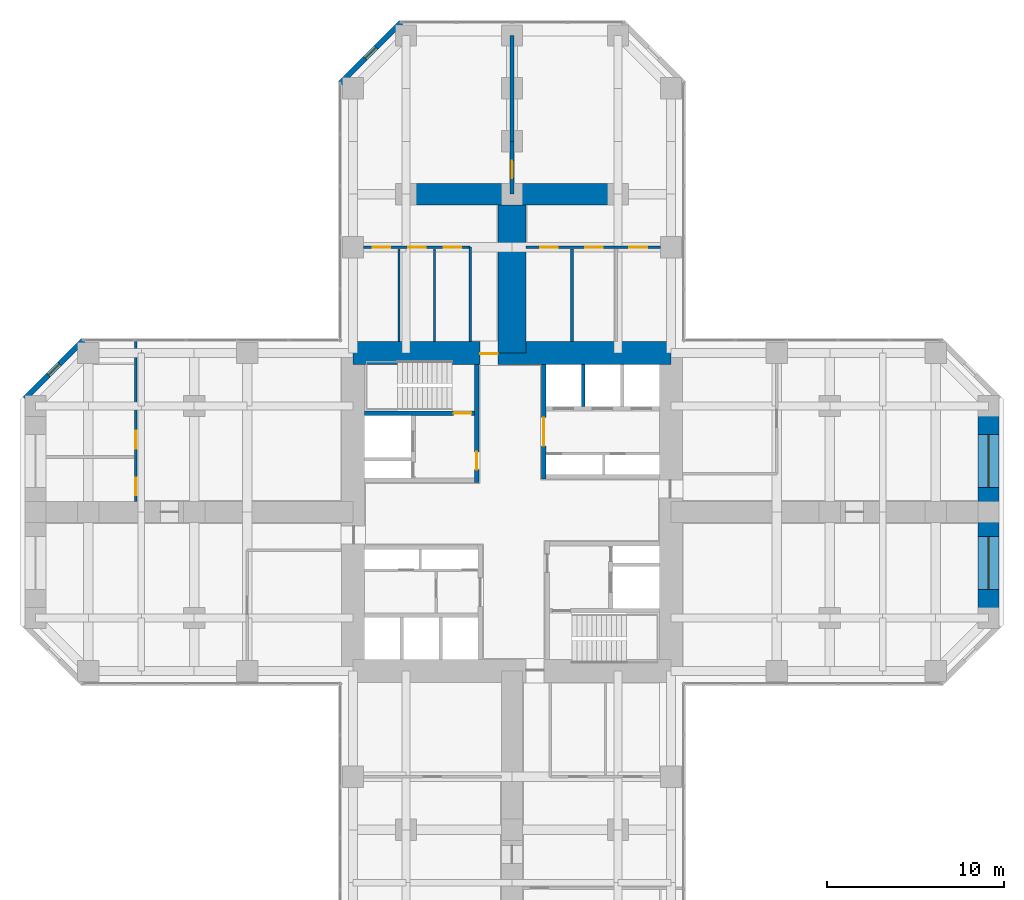
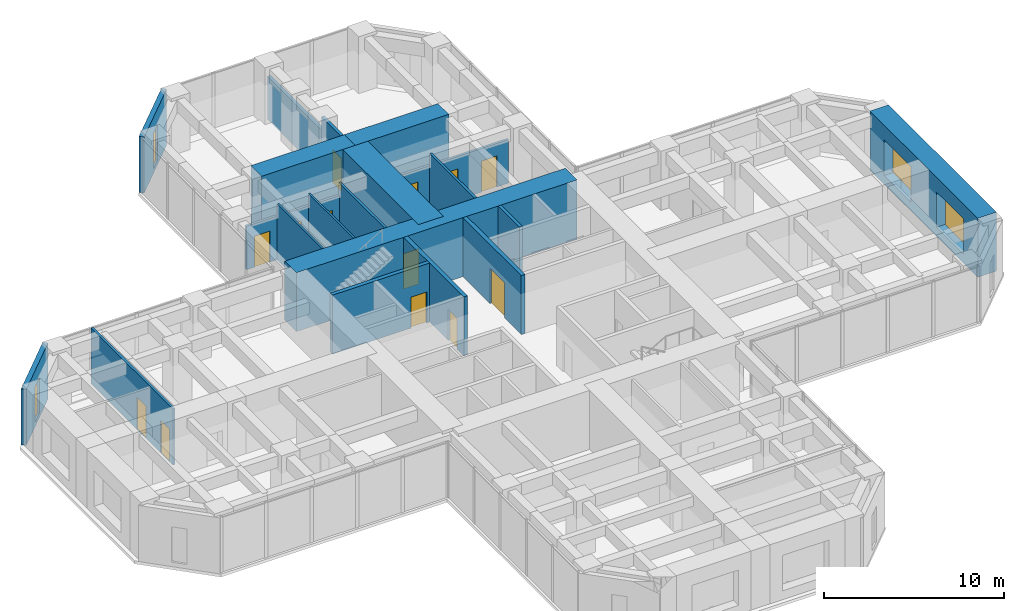
# One storey, part 10 of 12: 20 walls, 13 doors, 4 windows, 17 openings.
"""IFC4 building model written with IfcOpenShell, lengths in metres."""

from ifc_helpers import new_model, si_unit, direction, frame, frame_2d, origin, place, context, subcontext, project, spatial, rectangle, hollow_rectangle, extrude, material, layer, layer_set, constituent, constituent_set, type_object, element, fill, save


model = new_model("IFC4")

# Units and contexts
model_context = context("Model", 3, precision=1e-05, world=origin(), true_north=direction((0.0, 1.0)))
body_context = subcontext(model_context, "Body", "Model", "MODEL_VIEW")
ifc_project = project(units=[si_unit("LENGTHUNIT", "METRE"), si_unit("AREAUNIT", "SQUARE_METRE"), si_unit("VOLUMEUNIT", "CUBIC_METRE"), si_unit("PLANEANGLEUNIT", "RADIAN"), si_unit("MASSUNIT", "GRAM", prefix="KILO")], contexts=[model_context])

# Site, building, storey
site_placement = place(None, origin())
site = spatial("IfcSite", under=ifc_project, at=site_placement, CompositionType="ELEMENT")
building_placement = place(site_placement, origin())
building = spatial("IfcBuilding", under=site, at=building_placement, Name="Torre Cruceta", CompositionType="ELEMENT")
storey_placement = place(building_placement, frame((0.0, 0.0, 75.5)))
storey = spatial("IfcBuildingStorey", under=building, at=storey_placement, Name="L18", CompositionType="ELEMENT", Elevation=75.5)

# Wall, opening, door
ifc_material_1 = material(Name="Concrete G60 (fck 60 MPa)", Category="concrete")
ifc_layer_1 = layer(ifc_material_1, 0.25)
ifc_layer_set_1 = layer_set([ifc_layer_1], Name="Concrete G60 (fck 60 MPa)")
wall_type_1 = type_object("IfcWallType", Name="CORE INNER WALL 250 G60", PredefinedType="SHEAR", material=ifc_layer_set_1)
wall_1_placement = place(storey_placement, frame((1.800048828125, 1.875, 0.0), z_axis=(0.0, 0.0, 1.0), x_axis=(0.0, 1.0, 0.0)))
wall_1 = element("IfcWall", 1, at=wall_1_placement, inside=storey, type_object=wall_type_1, Name="CW4 L18 NE-CU", PredefinedType="SHEAR", context=body_context, shape_type="SweptSolid", body=[
    extrude(rectangle(XDim=6.47509765625, YDim=0.25, at=frame_2d((3.237548828125, 0.0))), origin(), (0.0, 0.0, 1.0), 4.0),
])
opening_1_placement = place(wall_1_placement, frame((1.875, 0.0, 0.0)))
opening_1 = element("IfcOpeningElement", 2, at=opening_1_placement, cuts=wall_1, Name="Opening D8", PredefinedType="OPENING", context=body_context, shape_type="SweptSolid", body=[
    extrude(rectangle(XDim=1.60009765625, YDim=2.39990234375, at=frame_2d((0.800048828125, 1.199951171875))), frame((0.0, 0.135009765625, 0.0), z_axis=(0.0, -1.0, 0.0), x_axis=(1.0, 0.0, 0.0)), (0.0, 0.0, 1.0), 0.27001953125),
])
ifc_material_2 = material(Name="Steel DX51D", Category="steel")
ifc_constituent_1 = constituent(ifc_material_2, Name="Leaf and frame")
ifc_material_3 = material(Name="Polyester powder coating", Category="paint")
ifc_constituent_2 = constituent(ifc_material_3, Name="Finish")
ifc_material_4 = material(Name="Fire-resisting glass", Category="glass")
ifc_constituent_3 = constituent(ifc_material_4, Name="Vision panel")
ifc_constituent_set_1 = constituent_set(constituents=[ifc_constituent_1, ifc_constituent_2, ifc_constituent_3], Name="Steel fire door with vision panels")
door_type_1 = type_object("IfcDoorType", Name="LIFT LOBBY DOUBLE DOOR 1600X2400", OperationType="DOUBLE_DOOR_DOUBLE_SWING", PredefinedType="DOOR", material=ifc_constituent_set_1)
door_1_placement = place(opening_1_placement, origin())
door_1 = element("IfcDoor", 3, at=door_1_placement, inside=storey, type_object=door_type_1, Name="D8 L18 NE-LOBBY", OperationType="DOUBLE_DOOR_DOUBLE_SWING", OverallHeight=2.39990234375, OverallWidth=1.60009765625, PredefinedType="DOOR", context=body_context, shape_type="SweptSolid", body=[
    extrude(rectangle(XDim=1.60009765625, YDim=2.39990234375, at=frame_2d((0.800048828125, 1.199951171875))), frame((0.0, 0.02490234375, 0.0), z_axis=(0.0, -1.0, 0.0), x_axis=(1.0, 0.0, 0.0)), (0.0, 0.0, 1.0), 0.050048828125),
])
fill(opening_1, door_1)

wall_2_placement = place(storey_placement, frame((-2.0, 1.675048828125, 0.0), z_axis=(0.0, 0.0, 1.0), x_axis=(0.0, 1.0, 0.0)))
wall_2 = element("IfcWall", 4, at=wall_2_placement, inside=storey, type_object=wall_type_1, Name="CW4 L18 NW-CU", PredefinedType="SHEAR", context=body_context, shape_type="SweptSolid", body=[
    extrude(rectangle(XDim=6.675048828125, YDim=0.25, at=frame_2d((3.33740234375, 0.0))), origin(), (0.0, 0.0, 1.0), 4.0),
])
opening_2_placement = place(wall_2_placement, frame((0.72509765625, 0.0, 0.0)))
opening_2 = element("IfcOpeningElement", 5, at=opening_2_placement, cuts=wall_2, Name="Opening D3", PredefinedType="OPENING", context=body_context, shape_type="SweptSolid", body=[
    extrude(rectangle(XDim=1.0, YDim=2.10009765625, at=frame_2d((0.5, 1.050048828125))), frame((0.0, 0.135009765625, 0.0), z_axis=(0.0, -1.0, 0.0), x_axis=(1.0, 0.0, 0.0)), (0.0, 0.0, 1.0), 0.27001953125),
])
ifc_material_5 = material(Name="Steel DX51D", Category="steel")
ifc_constituent_4 = constituent(ifc_material_5, Name="Leaf and frame")
ifc_material_6 = material(Name="Polyester powder coating", Category="paint")
ifc_constituent_5 = constituent(ifc_material_6, Name="Finish")
ifc_constituent_set_2 = constituent_set(constituents=[ifc_constituent_4, ifc_constituent_5], Name="Steel fire door")
door_type_2 = type_object("IfcDoorType", Name="FIRE DOOR 1000X2100", OperationType="SINGLE_SWING_LEFT", PredefinedType="DOOR", material=ifc_constituent_set_2)
door_2_placement = place(opening_2_placement, origin())
door_2 = element("IfcDoor", 6, at=door_2_placement, inside=storey, type_object=door_type_2, Name="D3 L18 NW-LOBBY", OperationType="SINGLE_SWING_LEFT", OverallHeight=2.10009765625, OverallWidth=1.0, PredefinedType="DOOR", context=body_context, shape_type="SweptSolid", body=[
    extrude(rectangle(XDim=1.0, YDim=2.10009765625, at=frame_2d((0.5, 1.050048828125))), frame((0.0, 0.02490234375, 0.0), z_axis=(0.0, -1.0, 0.0), x_axis=(1.0, 0.0, 0.0)), (0.0, 0.0, 1.0), 0.050048828125),
])
fill(opening_2, door_2)

wall_3_placement = place(storey_placement, frame((-2.125, 5.60009765625, 0.0), z_axis=(0.0, 0.0, 1.0), x_axis=(-1.0, 0.0, 0.0)))
wall_3 = element("IfcWall", 7, at=wall_3_placement, inside=storey, type_object=wall_type_1, Name="CW4 L18 NW-SV", PredefinedType="SHEAR", context=body_context, shape_type="SweptSolid", body=[
    extrude(rectangle(XDim=6.22509765625, YDim=0.25, at=frame_2d((3.112548828125, 0.0))), origin(), (0.0, 0.0, 1.0), 4.0),
])
opening_3_placement = place(wall_3_placement, frame((0.175048828125, 0.0, 0.0)))
opening_3 = element("IfcOpeningElement", 8, at=opening_3_placement, cuts=wall_3, Name="Opening D3", PredefinedType="OPENING", context=body_context, shape_type="SweptSolid", body=[
    extrude(rectangle(XDim=1.0, YDim=2.10009765625, at=frame_2d((0.5, 1.050048828125))), frame((0.0, 0.135009765625, 0.0), z_axis=(0.0, -1.0, 0.0), x_axis=(1.0, 0.0, 0.0)), (0.0, 0.0, 1.0), 0.27001953125),
])
door_3_placement = place(opening_3_placement, frame((1.0, 0.0, 0.0), z_axis=(0.0, 0.0, 1.0), x_axis=(-1.0, 0.0, 0.0)))
door_3 = element("IfcDoor", 9, at=door_3_placement, inside=storey, type_object=door_type_2, Name="D3 L18 NW-STAIR", OperationType="SINGLE_SWING_RIGHT", OverallHeight=2.10009765625, OverallWidth=1.0, PredefinedType="DOOR", context=body_context, shape_type="SweptSolid", body=[
    extrude(rectangle(XDim=1.0, YDim=2.10009765625, at=frame_2d((0.5, 1.050048828125))), frame((0.0, 0.025146484375, 0.0), z_axis=(0.0, -1.0, 0.0), x_axis=(1.0, 0.0, 0.0)), (0.0, 0.0, 1.0), 0.050048828125),
])
fill(opening_3, door_3)

ifc_material_7 = material(Name="Concrete G60 (fck 60 MPa)", Category="concrete")
ifc_layer_2 = layer(ifc_material_7, 1.300048828125)
ifc_layer_set_2 = layer_set([ifc_layer_2], Name="Concrete G60 (fck 60 MPa)")
wall_type_2 = type_object("IfcWallType", Name="CORE WALL 1300 G60", PredefinedType="SHEAR", material=ifc_layer_set_2)
wall_4_placement = place(storey_placement, frame((9.0, 9.0, 0.0), z_axis=(0.0, 0.0, 1.0), x_axis=(-1.0, 0.0, 0.0)))
wall_4 = element("IfcWall", 10, at=wall_4_placement, inside=storey, type_object=wall_type_2, Name="CW1 L18 CW-N", PredefinedType="SHEAR", context=body_context, shape_type="SweptSolid", body=[
    extrude(rectangle(XDim=18.0, YDim=1.300048828125, at=frame_2d((9.0, 0.0))), origin(), (0.0, 0.0, 1.0), 4.0),
])
opening_4_placement = place(wall_4_placement, frame((9.800048828125, 0.0, 0.0)))
opening_4 = element("IfcOpeningElement", 11, at=opening_4_placement, cuts=wall_4, Name="Opening D4", PredefinedType="OPENING", context=body_context, shape_type="SweptSolid", body=[
    extrude(rectangle(XDim=1.0, YDim=2.39990234375, at=frame_2d((0.5, 1.199951171875))), frame((0.0, 0.659912109375, 0.0), z_axis=(0.0, -1.0, 0.0), x_axis=(1.0, 0.0, 0.0)), (0.0, 0.0, 1.0), 1.320068359375),
])
ifc_material_8 = material(Name="Steel DX51D", Category="steel")
ifc_constituent_6 = constituent(ifc_material_8, Name="Leaf and frame")
ifc_material_9 = material(Name="Polyester powder coating", Category="paint")
ifc_constituent_7 = constituent(ifc_material_9, Name="Finish")
ifc_constituent_set_3 = constituent_set(constituents=[ifc_constituent_6, ifc_constituent_7], Name="Steel fire door")
door_type_3 = type_object("IfcDoorType", Name="CORE ARM DOOR 1000X2400", OperationType="SINGLE_SWING_RIGHT", PredefinedType="DOOR", material=ifc_constituent_set_3)
door_4_placement = place(opening_4_placement, frame((1.0, 0.0, 0.0), z_axis=(0.0, 0.0, 1.0), x_axis=(-1.0, 0.0, 0.0)))
door_4 = element("IfcDoor", 12, at=door_4_placement, inside=storey, type_object=door_type_3, Name="D4 L18 CW-N", OperationType="SINGLE_SWING_RIGHT", OverallHeight=2.39990234375, OverallWidth=1.0, PredefinedType="DOOR", context=body_context, shape_type="SweptSolid", body=[
    extrude(rectangle(XDim=1.0, YDim=2.39990234375, at=frame_2d((0.5, 1.199951171875))), frame((0.0, -0.005126953125, 0.0), z_axis=(0.0, -1.0, 0.0), x_axis=(1.0, 0.0, 0.0)), (0.0, 0.0, 1.0), 0.050048828125),
])
fill(opening_4, door_4)

ifc_material_10 = material(Name="Concrete G25 (fck 25 MPa)", Category="concrete")
ifc_layer_3 = layer(ifc_material_10, 0.199951171875)
ifc_layer_set_3 = layer_set([ifc_layer_3], Name="Concrete G25 (fck 25 MPa)")
wall_type_3 = type_object("IfcWallType", Name="CORRIDOR WALL 200", PredefinedType="SOLIDWALL", material=ifc_layer_set_3)
wall_5_placement = place(storey_placement, frame((0.0, 18.0, 0.0), z_axis=(0.0, 0.0, 1.0), x_axis=(0.0, 1.0, 0.0)))
wall_5 = element("IfcWall", 13, at=wall_5_placement, inside=storey, type_object=wall_type_3, Name="PT3 spine line L18 N", PredefinedType="SOLIDWALL", context=body_context, shape_type="SweptSolid", body=[
    extrude(rectangle(XDim=3.0, YDim=0.199951171875, at=frame_2d((1.5, 0.0))), origin(), (0.0, 0.0, 1.0), 3.800048828125),
])
opening_5_placement = place(wall_5_placement, frame((0.89990234375, 0.0, 0.0)))
opening_5 = element("IfcOpeningElement", 14, at=opening_5_placement, cuts=wall_5, Name="Opening D14", PredefinedType="OPENING", context=body_context, shape_type="SweptSolid", body=[
    extrude(rectangle(XDim=1.0, YDim=2.199951171875, at=frame_2d((0.5, 1.10009765625))), frame((0.0, 0.10986328125, 0.0), z_axis=(0.0, -1.0, 0.0), x_axis=(1.0, 0.0, 0.0)), (0.0, 0.0, 1.0), 0.219970703125),
])
ifc_material_11 = material(Name="Steel DX51D", Category="steel")
ifc_constituent_8 = constituent(ifc_material_11, Name="Leaf and frame")
ifc_material_12 = material(Name="Polyester powder coating", Category="paint")
ifc_constituent_9 = constituent(ifc_material_12, Name="Finish")
ifc_material_13 = material(Name="Fire-resisting glass", Category="glass")
ifc_constituent_10 = constituent(ifc_material_13, Name="Vision panel")
ifc_constituent_set_4 = constituent_set(constituents=[ifc_constituent_8, ifc_constituent_9, ifc_constituent_10], Name="Steel fire door with vision panel")
door_type_4 = type_object("IfcDoorType", Name="FIRE DOOR VISION PANEL 1000X2200", OperationType="SINGLE_SWING_RIGHT", PredefinedType="DOOR", material=ifc_constituent_set_4)
door_5_placement = place(opening_5_placement, frame((1.0, 0.0, 0.0), z_axis=(0.0, 0.0, 1.0), x_axis=(-1.0, 0.0, 0.0)))
door_5 = element("IfcDoor", 15, at=door_5_placement, inside=storey, type_object=door_type_4, Name="D14 L18-N-SP1", OperationType="SINGLE_SWING_RIGHT", OverallHeight=2.199951171875, OverallWidth=1.0, PredefinedType="DOOR", context=body_context, shape_type="SweptSolid", body=[
    extrude(rectangle(XDim=1.0, YDim=2.199951171875, at=frame_2d((0.5, 1.10009765625))), frame((0.0, 0.025146484375, 0.0), z_axis=(0.0, -1.0, 0.0), x_axis=(1.0, 0.0, 0.0)), (0.0, 0.0, 1.0), 0.050048828125),
])
fill(opening_5, door_5)

# Walls
wall_6_placement = place(storey_placement, frame((0.0, 21.0, 0.0), z_axis=(0.0, 0.0, 1.0), x_axis=(0.0, 1.0, 0.0)))
element("IfcWall", 16, at=wall_6_placement, inside=storey, type_object=wall_type_3, Name="PT3 spine line L18 N 2", PredefinedType="SOLIDWALL", context=body_context, shape_type="SweptSolid", body=[
    extrude(rectangle(XDim=6.0, YDim=0.199951171875, at=frame_2d((3.0, 0.0))), origin(), (0.0, 0.0, 1.0), 2.89990234375),
])
ifc_material_14 = material(Name="Concrete G60 (fck 60 MPa)", Category="concrete")
ifc_layer_4 = layer(ifc_material_14, 1.199951171875)
ifc_layer_set_4 = layer_set([ifc_layer_4], Name="Concrete G60 (fck 60 MPa)")
wall_type_4 = type_object("IfcWallType", Name="CROSS WALL 1200 G60", PredefinedType="SHEAR", material=ifc_layer_set_4)
for number, where, z_axis, x_axis, name in (
    (17, (0.0, 18.0, 0.0), (0.0, 0.0, 1.0), (-1.0, 0.0, 0.0), "XW1 cross wall L18 N L"),
    (18, (0.0, 18.0, 0.0), (0.0, 0.0, 1.0), (1.0, 0.0, 0.0), "XW1 cross wall L18 N R"),
):
    element("IfcWall", number, at=place(storey_placement, frame(where, z_axis=z_axis, x_axis=x_axis)), inside=storey, type_object=wall_type_4, Name=name, PredefinedType="SHEAR", context=body_context, shape_type="SweptSolid", body=[
        extrude(rectangle(XDim=6.0, YDim=1.199951171875, at=frame_2d((3.0, 0.0))), origin(), (0.0, 0.0, 1.0), 4.0),
    ])

# Wall, opening, window
ifc_material_15 = material(Name="Concrete G30 (fck 30 MPa)", Category="concrete")
ifc_layer_5 = layer(ifc_material_15, 0.300048828125)
ifc_layer_set_5 = layer_set([ifc_layer_5], Name="Concrete G30 (fck 30 MPa)")
wall_type_5 = type_object("IfcWallType", Name="EXPOSED CONCRETE FACADE WALL 300", PredefinedType="SOLIDWALL", material=ifc_layer_set_5)
wall_7_placement = place(storey_placement, frame((-6.29833984375, 27.719970703125, 0.0), z_axis=(0.0, 0.0, 1.0), x_axis=(-0.707106781187, -0.707106781187, 0.0)))
wall_7 = element("IfcWall", 19, at=wall_7_placement, inside=storey, type_object=wall_type_5, Name="EW1 facade wall L18 N chamfer 08", PredefinedType="SOLIDWALL", context=body_context, shape_type="SweptSolid", body=[
    extrude(rectangle(XDim=4.8388671875, YDim=0.300048828125, at=frame_2d((2.41943359375, 0.0))), origin(), (0.0, 0.0, 1.0), 3.800048828125),
])
opening_6_placement = place(wall_7_placement, frame((1.969482421875, 0.0, 0.300048828125)))
opening_6 = element("IfcOpeningElement", 20, at=opening_6_placement, cuts=wall_7, Name="Opening WN5", PredefinedType="OPENING", context=body_context, shape_type="SweptSolid", body=[
    extrude(rectangle(XDim=0.89990234375, YDim=2.39990234375, at=frame_2d((0.449951171875, 1.199951171875))), frame((0.0, 0.159912109375, 0.0), z_axis=(0.0, -1.0, 0.0), x_axis=(1.0, 0.0, 0.0)), (0.0, 0.0, 1.0), 0.320068359375),
])
ifc_material_16 = material(Name="Aluminium window frame", Category="aluminium")
ifc_constituent_11 = constituent(ifc_material_16, Name="Frame")
ifc_material_17 = material(Name="Laminated insulating glass unit, low-iron clear", Category="glass")
ifc_constituent_12 = constituent(ifc_material_17, Name="Glazing")
ifc_constituent_set_5 = constituent_set(constituents=[ifc_constituent_11, ifc_constituent_12], Name="Aluminium window")
window_type_1 = type_object("IfcWindowType", Name="CHAMFER SLOT WINDOW 900X2400", PartitioningType="SINGLE_PANEL", PredefinedType="WINDOW", material=ifc_constituent_set_5)
window_1_placement = place(opening_6_placement, origin())
window_1 = element("IfcWindow", 21, at=window_1_placement, inside=storey, type_object=window_type_1, Name="WN5 L18 N 1", OverallHeight=2.39990234375, OverallWidth=0.89990234375, PartitioningType="SINGLE_PANEL", PredefinedType="WINDOW", context=body_context, shape_type="SweptSolid", body=[
    extrude(hollow_rectangle(XDim=0.89990234375, YDim=2.39990234375, WallThickness=0.06005859375, at=frame_2d((0.449951171875, 1.199951171875))), frame((0.0, 0.030029296875, 0.0), z_axis=(0.0, -1.0, 0.0), x_axis=(1.0, 0.0, 0.0)), (0.0, 0.0, 1.0), 0.06005859375),
    extrude(rectangle(XDim=0.77880859375, YDim=2.27880859375, at=frame_2d((0.449951171875, 1.199951171875))), frame((0.0, 0.030029296875, 0.0), z_axis=(0.0, -1.0, 0.0), x_axis=(1.0, 0.0, 0.0)), (0.0, 0.0, 1.0), 0.06005859375),
])
fill(opening_6, window_1)

wall_8_placement = place(storey_placement, frame((-24.29833984375, 9.719970703125, 0.0), z_axis=(0.0, 0.0, 1.0), x_axis=(-0.707106781187, -0.707106781187, 0.0)))
wall_8 = element("IfcWall", 22, at=wall_8_placement, inside=storey, type_object=wall_type_5, Name="EW1 facade wall L18 W chamfer 11", PredefinedType="SOLIDWALL", context=body_context, shape_type="SweptSolid", body=[
    extrude(rectangle(XDim=4.66943359375, YDim=0.300048828125, at=frame_2d((2.334716796875, 0.0))), origin(), (0.0, 0.0, 1.0), 3.800048828125),
])
opening_7_placement = place(wall_8_placement, frame((1.884765625, 0.0, 0.300048828125)))
opening_7 = element("IfcOpeningElement", 23, at=opening_7_placement, cuts=wall_8, Name="Opening WN5", PredefinedType="OPENING", context=body_context, shape_type="SweptSolid", body=[
    extrude(rectangle(XDim=0.89990234375, YDim=2.39990234375, at=frame_2d((0.449951171875, 1.199951171875))), frame((0.0, 0.159912109375, 0.0), z_axis=(0.0, -1.0, 0.0), x_axis=(1.0, 0.0, 0.0)), (0.0, 0.0, 1.0), 0.320068359375),
])
window_2_placement = place(opening_7_placement, origin())
window_2 = element("IfcWindow", 24, at=window_2_placement, inside=storey, type_object=window_type_1, Name="WN5 L18 W 1", OverallHeight=2.39990234375, OverallWidth=0.89990234375, PartitioningType="SINGLE_PANEL", PredefinedType="WINDOW", context=body_context, shape_type="SweptSolid", body=[
    extrude(hollow_rectangle(XDim=0.89990234375, YDim=2.39990234375, WallThickness=0.06005859375, at=frame_2d((0.449951171875, 1.199951171875))), frame((0.0, 0.030029296875, 0.0), z_axis=(0.0, -1.0, 0.0), x_axis=(1.0, 0.0, 0.0)), (0.0, 0.0, 1.0), 0.06005859375),
    extrude(rectangle(XDim=0.77880859375, YDim=2.27880859375, at=frame_2d((0.449951171875, 1.199951171875))), frame((0.0, 0.030029296875, 0.0), z_axis=(0.0, -1.0, 0.0), x_axis=(1.0, 0.0, 0.0)), (0.0, 0.0, 1.0), 0.06005859375),
])
fill(opening_7, window_2)

# Wall
ifc_material_18 = material(Name="Concrete G35 (fck 35 MPa)", Category="concrete")
ifc_layer_6 = layer(ifc_material_18, 0.199951171875)
ifc_layer_set_6 = layer_set([ifc_layer_6], Name="Concrete G35 (fck 35 MPa)")
wall_type_6 = type_object("IfcWallType", Name="LIFT SHAFT WALL 200", PredefinedType="PARTITIONING", material=ifc_layer_set_6)
wall_9_placement = place(storey_placement, frame((4.033447265625, 5.97509765625, 0.0), z_axis=(0.0, 0.0, 1.0), x_axis=(0.0, 1.0, 0.0)))
element("IfcWall", 25, at=wall_9_placement, inside=storey, type_object=wall_type_6, Name="SW1 L18 NE-LS1", PredefinedType="PARTITIONING", context=body_context, shape_type="SweptSolid", body=[
    extrude(rectangle(XDim=2.375, YDim=0.199951171875, at=frame_2d((1.1875, 0.0))), origin(), (0.0, 0.0, 1.0), 4.0),
])

# Wall, openings, windows
ifc_material_19 = material(Name="Concrete G60 (fck 60 MPa)", Category="concrete")
ifc_layer_7 = layer(ifc_material_19, 1.199951171875)
ifc_layer_set_7 = layer_set([ifc_layer_7], Name="Concrete G60 (fck 60 MPa)")
wall_type_7 = type_object("IfcWallType", Name="NOSE WALL 1200 G60", PredefinedType="SHEAR", material=ifc_layer_set_7)
wall_10_placement = place(storey_placement, frame((27.0, -6.0, 0.0), z_axis=(0.0, 0.0, 1.0), x_axis=(0.0, 1.0, 0.0)))
wall_10 = element("IfcWall", 26, at=wall_10_placement, inside=storey, type_object=wall_type_7, Name="NW1 nose wall L18 E", PredefinedType="SHEAR", context=body_context, shape_type="SweptSolid", body=[
    extrude(rectangle(XDim=12.0, YDim=1.199951171875, at=frame_2d((6.0, 0.0))), origin(), (0.0, 0.0, 1.0), 4.0),
])
opening_8_placement = place(wall_10_placement, frame((1.60009765625, 0.0, 0.60009765625)))
opening_8 = element("IfcOpeningElement", 27, at=opening_8_placement, cuts=wall_10, Name="Opening WN6", PredefinedType="OPENING", context=body_context, shape_type="SweptSolid", body=[
    extrude(rectangle(XDim=3.0, YDim=2.39990234375, at=frame_2d((1.5, 1.199951171875))), frame((0.0, 0.60986328125, 0.0), z_axis=(0.0, -1.0, 0.0), x_axis=(1.0, 0.0, 0.0)), (0.0, 0.0, 1.0), 1.219970703125),
])
opening_9_placement = place(wall_10_placement, frame((7.39990234375, 0.0, 0.60009765625)))
opening_9 = element("IfcOpeningElement", 28, at=opening_9_placement, cuts=wall_10, Name="Opening WN6", PredefinedType="OPENING", context=body_context, shape_type="SweptSolid", body=[
    extrude(rectangle(XDim=3.0, YDim=2.39990234375, at=frame_2d((1.5, 1.199951171875))), frame((0.0, 0.60986328125, 0.0), z_axis=(0.0, -1.0, 0.0), x_axis=(1.0, 0.0, 0.0)), (0.0, 0.0, 1.0), 1.219970703125),
])
ifc_material_20 = material(Name="Aluminium window frame", Category="aluminium")
ifc_constituent_13 = constituent(ifc_material_20, Name="Frame")
ifc_material_21 = material(Name="Laminated insulating glass unit, low-iron clear", Category="glass")
ifc_constituent_14 = constituent(ifc_material_21, Name="Glazing")
ifc_constituent_set_6 = constituent_set(constituents=[ifc_constituent_13, ifc_constituent_14], Name="Aluminium window")
window_type_2 = type_object("IfcWindowType", Name="NOSE WALL WINDOW 3000X2400", PartitioningType="SINGLE_PANEL", PredefinedType="WINDOW", material=ifc_constituent_set_6)
window_3_placement = place(opening_8_placement, origin())
window_3 = element("IfcWindow", 29, at=window_3_placement, inside=storey, type_object=window_type_2, Name="WN6 L18 E 1", OverallHeight=2.39990234375, OverallWidth=3.0, PartitioningType="SINGLE_PANEL", PredefinedType="WINDOW", context=body_context, shape_type="SweptSolid", body=[
    extrude(hollow_rectangle(XDim=3.0, YDim=2.39990234375, WallThickness=0.06005859375, at=frame_2d((1.5, 1.199951171875))), frame((0.0, 0.030029296875, 0.0), z_axis=(0.0, -1.0, 0.0), x_axis=(1.0, 0.0, 0.0)), (0.0, 0.0, 1.0), 0.06005859375),
    extrude(rectangle(XDim=2.87890625, YDim=2.27880859375, at=frame_2d((1.5, 1.199951171875))), frame((0.0, 0.030029296875, 0.0), z_axis=(0.0, -1.0, 0.0), x_axis=(1.0, 0.0, 0.0)), (0.0, 0.0, 1.0), 0.06005859375),
])
fill(opening_8, window_3)
window_4_placement = place(opening_9_placement, origin())
window_4 = element("IfcWindow", 30, at=window_4_placement, inside=storey, type_object=window_type_2, Name="WN6 L18 E 2", OverallHeight=2.39990234375, OverallWidth=3.0, PartitioningType="SINGLE_PANEL", PredefinedType="WINDOW", context=body_context, shape_type="SweptSolid", body=[
    extrude(hollow_rectangle(XDim=3.0, YDim=2.39990234375, WallThickness=0.06005859375, at=frame_2d((1.5, 1.199951171875))), frame((0.0, 0.030029296875, 0.0), z_axis=(0.0, -1.0, 0.0), x_axis=(1.0, 0.0, 0.0)), (0.0, 0.0, 1.0), 0.06005859375),
    extrude(rectangle(XDim=2.87890625, YDim=2.27880859375, at=frame_2d((1.5, 1.199951171875))), frame((0.0, 0.030029296875, 0.0), z_axis=(0.0, -1.0, 0.0), x_axis=(1.0, 0.0, 0.0)), (0.0, 0.0, 1.0), 0.06005859375),
])
fill(opening_9, window_4)

# Wall, openings, doors
ifc_material_22 = material(Name="Plasterboard on steel studs", Category="steel")
ifc_layer_8 = layer(ifc_material_22, 0.14990234375)
ifc_layer_set_8 = layer_set([ifc_layer_8], Name="Plasterboard on steel studs")
wall_type_8 = type_object("IfcWallType", Name="PARTITION 150", PredefinedType="PARTITIONING", material=ifc_layer_set_8)
wall_11_placement = place(storey_placement, frame((-2.375, 15.0, 0.0), z_axis=(0.0, 0.0, 1.0), x_axis=(-1.0, 0.0, 0.0)))
wall_11 = element("IfcWall", 31, at=wall_11_placement, inside=storey, type_object=wall_type_8, Name="PT1 L18-N-BFL", PredefinedType="PARTITIONING", context=body_context, shape_type="SweptSolid", body=[
    extrude(rectangle(XDim=6.02490234375, YDim=0.14990234375, at=frame_2d((3.012451171875, 0.0))), origin(), (0.0, 0.0, 1.0), 2.949951171875),
])
opening_10_placement = place(wall_11_placement, frame((0.504150390625, 0.0, 0.0)))
opening_10 = element("IfcOpeningElement", 32, at=opening_10_placement, cuts=wall_11, Name="Opening D3", PredefinedType="OPENING", context=body_context, shape_type="SweptSolid", body=[
    extrude(rectangle(XDim=1.0, YDim=2.10009765625, at=frame_2d((0.5, 1.050048828125))), frame((0.0, 0.0849609375, 0.0), z_axis=(0.0, -1.0, 0.0), x_axis=(1.0, 0.0, 0.0)), (0.0, 0.0, 1.0), 0.169921875),
])
opening_11_placement = place(wall_11_placement, frame((2.512451171875, 0.0, 0.0)))
opening_11 = element("IfcOpeningElement", 33, at=opening_11_placement, cuts=wall_11, Name="Opening D3", PredefinedType="OPENING", context=body_context, shape_type="SweptSolid", body=[
    extrude(rectangle(XDim=1.0, YDim=2.10009765625, at=frame_2d((0.5, 1.050048828125))), frame((0.0, 0.0849609375, 0.0), z_axis=(0.0, -1.0, 0.0), x_axis=(1.0, 0.0, 0.0)), (0.0, 0.0, 1.0), 0.169921875),
])
opening_12_placement = place(wall_11_placement, frame((4.520751953125, 0.0, 0.0)))
opening_12 = element("IfcOpeningElement", 34, at=opening_12_placement, cuts=wall_11, Name="Opening D3", PredefinedType="OPENING", context=body_context, shape_type="SweptSolid", body=[
    extrude(rectangle(XDim=1.0, YDim=2.10009765625, at=frame_2d((0.5, 1.050048828125))), frame((0.0, 0.0849609375, 0.0), z_axis=(0.0, -1.0, 0.0), x_axis=(1.0, 0.0, 0.0)), (0.0, 0.0, 1.0), 0.169921875),
])
door_6_placement = place(opening_10_placement, origin())
door_6 = element("IfcDoor", 35, at=door_6_placement, inside=storey, type_object=door_type_2, Name="D3 L18-N-BFL-D1", OperationType="SINGLE_SWING_LEFT", OverallHeight=2.10009765625, OverallWidth=1.0, PredefinedType="DOOR", context=body_context, shape_type="SweptSolid", body=[
    extrude(rectangle(XDim=1.0, YDim=2.10009765625, at=frame_2d((0.5, 1.050048828125))), frame((0.0, 0.02490234375, 0.0), z_axis=(0.0, -1.0, 0.0), x_axis=(1.0, 0.0, 0.0)), (0.0, 0.0, 1.0), 0.050048828125),
])
fill(opening_10, door_6)
door_7_placement = place(opening_11_placement, origin())
door_7 = element("IfcDoor", 36, at=door_7_placement, inside=storey, type_object=door_type_2, Name="D3 L18-N-BFL-D2", OperationType="SINGLE_SWING_LEFT", OverallHeight=2.10009765625, OverallWidth=1.0, PredefinedType="DOOR", context=body_context, shape_type="SweptSolid", body=[
    extrude(rectangle(XDim=1.0, YDim=2.10009765625, at=frame_2d((0.5, 1.050048828125))), frame((0.0, 0.02490234375, 0.0), z_axis=(0.0, -1.0, 0.0), x_axis=(1.0, 0.0, 0.0)), (0.0, 0.0, 1.0), 0.050048828125),
])
fill(opening_11, door_7)
door_8_placement = place(opening_12_placement, origin())
door_8 = element("IfcDoor", 37, at=door_8_placement, inside=storey, type_object=door_type_2, Name="D3 L18-N-BFL-D3", OperationType="SINGLE_SWING_LEFT", OverallHeight=2.10009765625, OverallWidth=1.0, PredefinedType="DOOR", context=body_context, shape_type="SweptSolid", body=[
    extrude(rectangle(XDim=1.0, YDim=2.10009765625, at=frame_2d((0.5, 1.050048828125))), frame((0.0, 0.02490234375, 0.0), z_axis=(0.0, -1.0, 0.0), x_axis=(1.0, 0.0, 0.0)), (0.0, 0.0, 1.0), 0.050048828125),
])
fill(opening_12, door_8)

# Wall
wall_12_placement = place(storey_placement, frame((-2.375, 9.64990234375, 0.0), z_axis=(0.0, 0.0, 1.0), x_axis=(0.0, 1.0, 0.0)))
element("IfcWall", 38, at=wall_12_placement, inside=storey, type_object=wall_type_8, Name="PT1 L18-N-BSL", PredefinedType="PARTITIONING", context=body_context, shape_type="SweptSolid", body=[
    extrude(rectangle(XDim=5.35009765625, YDim=0.14990234375, at=frame_2d((2.675048828125, 0.0))), origin(), (0.0, 0.0, 1.0), 3.800048828125),
])

# Wall, openings, doors
wall_13_placement = place(storey_placement, frame((8.39990234375, 15.0, 0.0), z_axis=(0.0, 0.0, 1.0), x_axis=(-1.0, 0.0, 0.0)))
wall_13 = element("IfcWall", 39, at=wall_13_placement, inside=storey, type_object=wall_type_8, Name="PT1 L18-N-BFR", PredefinedType="PARTITIONING", context=body_context, shape_type="SweptSolid", body=[
    extrude(rectangle(XDim=7.599853515625, YDim=0.14990234375, at=frame_2d((3.7998046875, 0.0))), origin(), (0.0, 0.0, 1.0), 2.949951171875),
])
opening_13_placement = place(wall_13_placement, frame((0.75, 0.0, 0.0)))
opening_13 = element("IfcOpeningElement", 40, at=opening_13_placement, cuts=wall_13, Name="Opening D3", PredefinedType="OPENING", context=body_context, shape_type="SweptSolid", body=[
    extrude(rectangle(XDim=1.0, YDim=2.10009765625, at=frame_2d((0.5, 1.050048828125))), frame((0.0, 0.0849609375, 0.0), z_axis=(0.0, -1.0, 0.0), x_axis=(1.0, 0.0, 0.0)), (0.0, 0.0, 1.0), 0.169921875),
])
opening_14_placement = place(wall_13_placement, frame((3.25, 0.0, 0.0)))
opening_14 = element("IfcOpeningElement", 41, at=opening_14_placement, cuts=wall_13, Name="Opening D3", PredefinedType="OPENING", context=body_context, shape_type="SweptSolid", body=[
    extrude(rectangle(XDim=1.0, YDim=2.10009765625, at=frame_2d((0.5, 1.050048828125))), frame((0.0, 0.0849609375, 0.0), z_axis=(0.0, -1.0, 0.0), x_axis=(1.0, 0.0, 0.0)), (0.0, 0.0, 1.0), 0.169921875),
])
opening_15_placement = place(wall_13_placement, frame((5.800048828125, 0.0, 0.0)))
opening_15 = element("IfcOpeningElement", 42, at=opening_15_placement, cuts=wall_13, Name="Opening D3", PredefinedType="OPENING", context=body_context, shape_type="SweptSolid", body=[
    extrude(rectangle(XDim=1.0, YDim=2.10009765625, at=frame_2d((0.5, 1.050048828125))), frame((0.0, 0.0849609375, 0.0), z_axis=(0.0, -1.0, 0.0), x_axis=(1.0, 0.0, 0.0)), (0.0, 0.0, 1.0), 0.169921875),
])
door_9_placement = place(opening_13_placement, origin())
door_9 = element("IfcDoor", 43, at=door_9_placement, inside=storey, type_object=door_type_2, Name="D3 L18-N-BFR-D1", OperationType="SINGLE_SWING_RIGHT", OverallHeight=2.10009765625, OverallWidth=1.0, PredefinedType="DOOR", context=body_context, shape_type="SweptSolid", body=[
    extrude(rectangle(XDim=1.0, YDim=2.10009765625, at=frame_2d((0.5, 1.050048828125))), frame((0.0, 0.02490234375, 0.0), z_axis=(0.0, -1.0, 0.0), x_axis=(1.0, 0.0, 0.0)), (0.0, 0.0, 1.0), 0.050048828125),
])
fill(opening_13, door_9)
door_10_placement = place(opening_14_placement, origin())
door_10 = element("IfcDoor", 44, at=door_10_placement, inside=storey, type_object=door_type_2, Name="D3 L18-N-BFR-D2", OperationType="SINGLE_SWING_LEFT", OverallHeight=2.10009765625, OverallWidth=1.0, PredefinedType="DOOR", context=body_context, shape_type="SweptSolid", body=[
    extrude(rectangle(XDim=1.0, YDim=2.10009765625, at=frame_2d((0.5, 1.050048828125))), frame((0.0, 0.02490234375, 0.0), z_axis=(0.0, -1.0, 0.0), x_axis=(1.0, 0.0, 0.0)), (0.0, 0.0, 1.0), 0.050048828125),
])
fill(opening_14, door_10)
door_11_placement = place(opening_15_placement, origin())
door_11 = element("IfcDoor", 45, at=door_11_placement, inside=storey, type_object=door_type_2, Name="D3 L18-N-BFR-D3", OperationType="SINGLE_SWING_LEFT", OverallHeight=2.10009765625, OverallWidth=1.0, PredefinedType="DOOR", context=body_context, shape_type="SweptSolid", body=[
    extrude(rectangle(XDim=1.0, YDim=2.10009765625, at=frame_2d((0.5, 1.050048828125))), frame((0.0, 0.02490234375, 0.0), z_axis=(0.0, -1.0, 0.0), x_axis=(1.0, 0.0, 0.0)), (0.0, 0.0, 1.0), 0.050048828125),
])
fill(opening_15, door_11)

# Wall
wall_14_placement = place(storey_placement, frame((3.39990234375, 9.64990234375, 0.0), z_axis=(0.0, 0.0, 1.0), x_axis=(0.0, 1.0, 0.0)))
element("IfcWall", 46, at=wall_14_placement, inside=storey, type_object=wall_type_8, Name="PT1 L18-N-BDR1", PredefinedType="PARTITIONING", context=body_context, shape_type="SweptSolid", body=[
    extrude(rectangle(XDim=5.25, YDim=0.14990234375, at=frame_2d((2.625, 0.0))), origin(), (0.0, 0.0, 1.0), 3.800048828125),
])

# Wall, openings, doors
wall_15_placement = place(storey_placement, frame((-21.320068359375, 9.679931640625, 0.0), z_axis=(0.0, 0.0, 1.0), x_axis=(0.0, -1.0, 0.0)))
wall_15 = element("IfcWall", 47, at=wall_15_placement, inside=storey, type_object=wall_type_8, Name="PT1 L18-W-TWR", PredefinedType="PARTITIONING", context=body_context, shape_type="SweptSolid", body=[
    extrude(rectangle(XDim=9.079833984375, YDim=0.14990234375, at=frame_2d((4.5400390625, 0.0))), origin(), (0.0, 0.0, 1.0), 3.800048828125),
])
opening_16_placement = place(wall_15_placement, frame((5.0869140625, 0.0, 0.0)))
opening_16 = element("IfcOpeningElement", 48, at=opening_16_placement, cuts=wall_15, Name="Opening D14", PredefinedType="OPENING", context=body_context, shape_type="SweptSolid", body=[
    extrude(rectangle(XDim=1.0, YDim=2.199951171875, at=frame_2d((0.5, 1.10009765625))), frame((0.0, 0.0849609375, 0.0), z_axis=(0.0, -1.0, 0.0), x_axis=(1.0, 0.0, 0.0)), (0.0, 0.0, 1.0), 0.169921875),
])
opening_17_placement = place(wall_15_placement, frame((7.72998046875, 0.0, 0.0)))
opening_17 = element("IfcOpeningElement", 49, at=opening_17_placement, cuts=wall_15, Name="Opening D14", PredefinedType="OPENING", context=body_context, shape_type="SweptSolid", body=[
    extrude(rectangle(XDim=1.0, YDim=2.199951171875, at=frame_2d((0.5, 1.10009765625))), frame((0.0, 0.0849609375, 0.0), z_axis=(0.0, -1.0, 0.0), x_axis=(1.0, 0.0, 0.0)), (0.0, 0.0, 1.0), 0.169921875),
])
door_12_placement = place(opening_16_placement, frame((1.0, 0.0, 0.0), z_axis=(0.0, 0.0, 1.0), x_axis=(-1.0, 0.0, 0.0)))
door_12 = element("IfcDoor", 50, at=door_12_placement, inside=storey, type_object=door_type_4, Name="D14 L18-W-TWR-D1", OperationType="SINGLE_SWING_LEFT", OverallHeight=2.199951171875, OverallWidth=1.0, PredefinedType="DOOR", context=body_context, shape_type="SweptSolid", body=[
    extrude(rectangle(XDim=1.0, YDim=2.199951171875, at=frame_2d((0.5, 1.10009765625))), frame((0.0, 0.025146484375, 0.0), z_axis=(0.0, -1.0, 0.0), x_axis=(1.0, 0.0, 0.0)), (0.0, 0.0, 1.0), 0.050048828125),
])
fill(opening_16, door_12)
door_13_placement = place(opening_17_placement, frame((1.0, 0.0, 0.0), z_axis=(0.0, 0.0, 1.0), x_axis=(-1.0, 0.0, 0.0)))
door_13 = element("IfcDoor", 51, at=door_13_placement, inside=storey, type_object=door_type_4, Name="D14 L18-W-TWR-D2", OperationType="SINGLE_SWING_LEFT", OverallHeight=2.199951171875, OverallWidth=1.0, PredefinedType="DOOR", context=body_context, shape_type="SweptSolid", body=[
    extrude(rectangle(XDim=1.0, YDim=2.199951171875, at=frame_2d((0.5, 1.10009765625))), frame((0.0, 0.025146484375, 0.0), z_axis=(0.0, -1.0, 0.0), x_axis=(1.0, 0.0, 0.0)), (0.0, 0.0, 1.0), 0.050048828125),
])
fill(opening_17, door_13)

# Walls
ifc_material_23 = material(Name="Concrete G60 (fck 60 MPa)", Category="concrete")
ifc_layer_9 = layer(ifc_material_23, 1.60009765625)
ifc_layer_set_9 = layer_set([ifc_layer_9], Name="Concrete G60 (fck 60 MPa)")
wall_type_9 = type_object("IfcWallType", Name="SPINE WALL 1600 G60", PredefinedType="SHEAR", material=ifc_layer_set_9)
wall_16_placement = place(storey_placement, frame((0.0, 9.0, 0.0), z_axis=(0.0, 0.0, 1.0), x_axis=(0.0, 1.0, 0.0)))
element("IfcWall", 52, at=wall_16_placement, inside=storey, type_object=wall_type_9, Name="SW2 spine wall L18 N", PredefinedType="SHEAR", context=body_context, shape_type="SweptSolid", body=[
    extrude(rectangle(XDim=9.0, YDim=1.60009765625, at=frame_2d((4.5, 0.0))), origin(), (0.0, 0.0, 1.0), 4.0),
])
ifc_material_24 = material(Name="Plasterboard on steel studs", Category="steel")
ifc_layer_10 = layer(ifc_material_24, 0.1201171875)
ifc_layer_set_10 = layer_set([ifc_layer_10], Name="Plasterboard on steel studs")
wall_type_10 = type_object("IfcWallType", Name="WC PARTITION 120", PredefinedType="PLUMBINGWALL", material=ifc_layer_set_10)
for number, where, z_axis, x_axis, name in (
    (53, (-4.38330078125, 9.64990234375, 0.0), (0.0, 0.0, 1.0), (0.0, 1.0, 0.0), "PT5 L18-N-BDL1"),
    (54, (-6.3916015625, 9.64990234375, 0.0), (0.0, 0.0, 1.0), (0.0, 1.0, 0.0), "PT5 L18-N-BDL2"),
):
    element("IfcWall", number, at=place(storey_placement, frame(where, z_axis=z_axis, x_axis=x_axis)), inside=storey, type_object=wall_type_10, Name=name, PredefinedType="PLUMBINGWALL", context=body_context, shape_type="SweptSolid", body=[
        extrude(rectangle(XDim=5.25, YDim=0.1201171875, at=frame_2d((2.625, 0.0))), origin(), (0.0, 0.0, 1.0), 3.800048828125),
    ])

save(model, "model.ifc")
